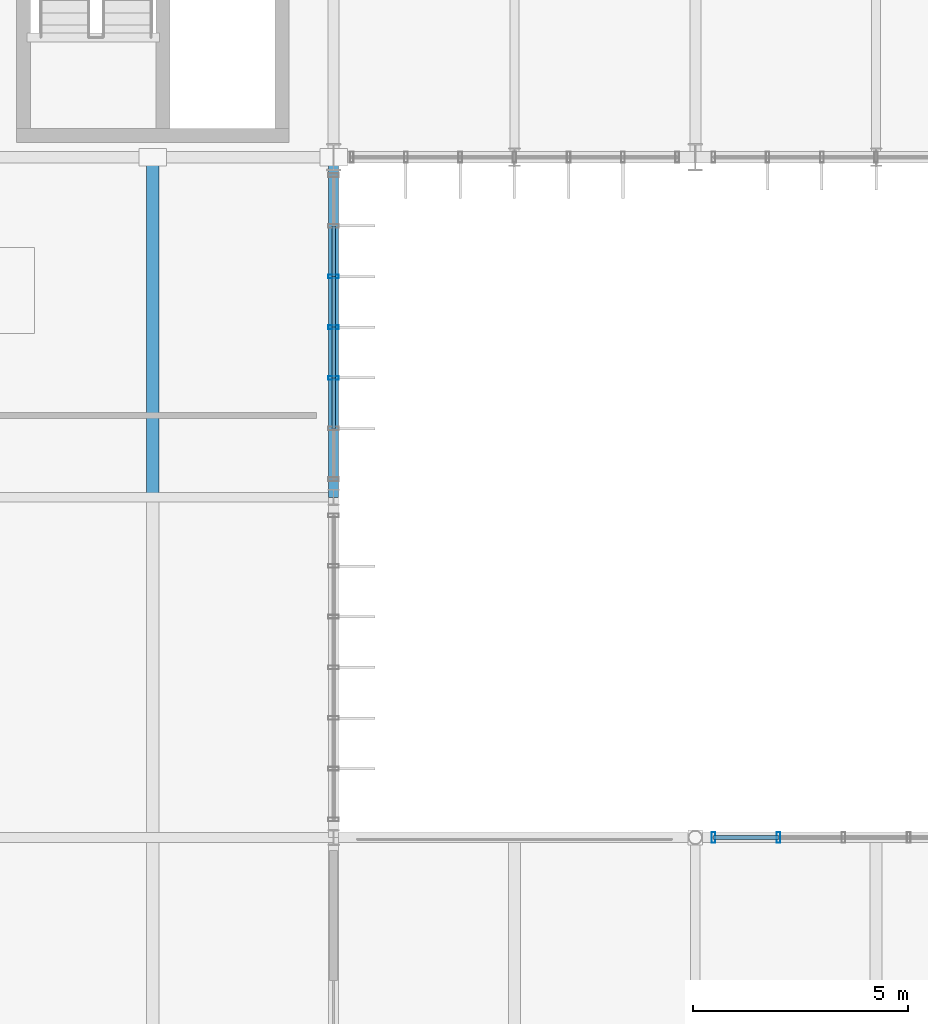
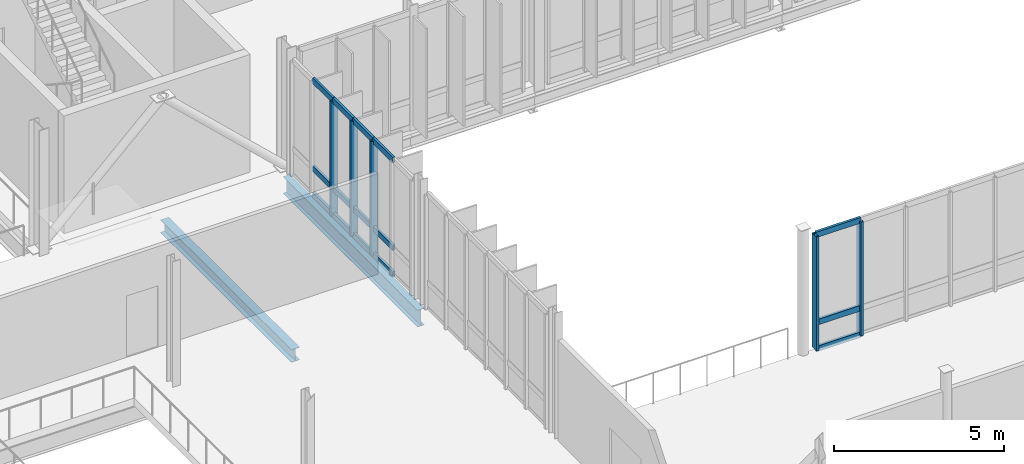
# One storey, part 36 of 139: 20 members, 2 beams, 2 elements without a shape of their own.
"""IFC4 building model written with IfcOpenShell, lengths in metres."""

from ifc_helpers import new_model, si_unit, derived_unit, direction, frame, origin, origin_2d, place, context, subcontext, project, spatial, hollow_rectangle, i_section, extrude, material, layer, layer_set, material_profile, profile_set, type_object, element, aggregate, save


model = new_model("IFC4")

# Units and contexts
model_context = context("Model", 3, precision=1e-05, world=origin(), true_north=direction((0.0, 1.0)))
body_context = subcontext(model_context, "Body", "Model", "MODEL_VIEW")
ifc_project = project(units=[si_unit("LENGTHUNIT", "METRE"), si_unit("AREAUNIT", "SQUARE_METRE"), si_unit("VOLUMEUNIT", "CUBIC_METRE"), si_unit("PLANEANGLEUNIT", "RADIAN"), si_unit("MASSUNIT", "GRAM", prefix="KILO"), derived_unit("THERMALTRANSMITTANCEUNIT", [(si_unit("MASSUNIT", "GRAM", prefix="KILO"), 1), (si_unit("TIMEUNIT", "SECOND"), -3), (si_unit("THERMODYNAMICTEMPERATUREUNIT", "KELVIN"), -1)])], contexts=[model_context])

# Site, building, storey
site_placement = place(None, origin())
site = spatial("IfcSite", under=ifc_project, at=site_placement, CompositionType="ELEMENT")
building_placement = place(site_placement, origin())
building = spatial("IfcBuilding", under=site, at=building_placement, Name="Makaiwela Harbour Ferry Terminal", CompositionType="ELEMENT")
storey_placement = place(building_placement, frame((0.0, 0.0, 5.10009765625)))
storey = spatial("IfcBuildingStorey", under=building, at=storey_placement, Name="L01", CompositionType="ELEMENT", Elevation=5.10009765625)

# Curtain wall, members
ifc_material_1 = material(Name="Marine anodised aluminium 6063-T6", Category="aluminium")
ifc_layer_1 = layer(ifc_material_1, 0.199951171875)
ifc_layer_set_1 = layer_set([ifc_layer_1], Name="Marine anodised aluminium 6063-T6")
curtain_wall_type_1 = type_object("IfcCurtainWallType", Name="ENV-CW-13", PredefinedType="USERDEFINED", material=ifc_layer_set_1)
curtain_wall_1_placement = place(storey_placement, origin())
curtain_wall_1 = element("IfcCurtainWall", 1, at=curtain_wall_1_placement, inside=storey, type_object=curtain_wall_type_1, Name="Unitised Curtain Wall CWA-112", ObjectType="UNITIZED CURTAIN WALL", PredefinedType="USERDEFINED")
ifc_material_profile_1 = material_profile(ifc_material_1, hollow_rectangle(XDim=0.0849609375, YDim=0.25, WallThickness=0.0048828125, at=origin_2d()), Name="CWM-250X85")
ifc_profile_set_1 = profile_set([ifc_material_profile_1], Name="Marine anodised aluminium 6063-T6")
member_type_1 = type_object("IfcMemberType", Name="CW-MUL-250", PredefinedType="MULLION", material=ifc_profile_set_1)
member_1_placement = place(storey_placement, frame((71.39990234375, 46.626708984375, 0.0), z_axis=(0.0, 0.0, 1.0), x_axis=(0.0, 1.0, 0.0)))
member_1 = element("IfcMember", 2, at=member_1_placement, type_object=member_type_1, Name="Curtain Wall Mullion CWA-112-3", PredefinedType="MULLION", context=body_context, shape_type="SweptSolid", body=[
    extrude(hollow_rectangle(XDim=0.0849609375, YDim=0.25, WallThickness=0.0048828125, at=origin_2d()), origin(), (0.0, 0.0, 1.0), 4.099853515625),
])
member_2_placement = place(storey_placement, frame((71.39990234375, 45.449951171875, 0.0), z_axis=(0.0, 0.0, 1.0), x_axis=(0.0, 1.0, 0.0)))
member_2 = element("IfcMember", 3, at=member_2_placement, type_object=member_type_1, Name="Curtain Wall Mullion CWA-112-4", PredefinedType="MULLION", context=body_context, shape_type="SweptSolid", body=[
    extrude(hollow_rectangle(XDim=0.0849609375, YDim=0.25, WallThickness=0.0048828125, at=origin_2d()), origin(), (0.0, 0.0, 1.0), 4.099853515625),
])
member_3_placement = place(storey_placement, frame((71.39990234375, 44.273193359375, 0.0), z_axis=(0.0, 0.0, 1.0), x_axis=(0.0, 1.0, 0.0)))
member_3 = element("IfcMember", 4, at=member_3_placement, type_object=member_type_1, Name="Curtain Wall Mullion CWA-112-5", PredefinedType="MULLION", context=body_context, shape_type="SweptSolid", body=[
    extrude(hollow_rectangle(XDim=0.0849609375, YDim=0.25, WallThickness=0.0048828125, at=origin_2d()), origin(), (0.0, 0.0, 1.0), 4.099853515625),
])

ifc_layer_2 = layer(ifc_material_1, 0.199951171875)
ifc_layer_set_2 = layer_set([ifc_layer_2], Name="Marine anodised aluminium 6063-T6")
curtain_wall_type_2 = type_object("IfcCurtainWallType", Name="ENV-CW-08", PredefinedType="USERDEFINED", material=ifc_layer_set_2)
curtain_wall_2_placement = place(storey_placement, origin())
curtain_wall_2 = element("IfcCurtainWall", 5, at=curtain_wall_2_placement, inside=storey, type_object=curtain_wall_type_2, Name="Unitised Curtain Wall CWA-141", ObjectType="UNITIZED CURTAIN WALL", PredefinedType="USERDEFINED")
member_4_placement = place(storey_placement, frame((81.73193359375, 33.60009765625, 0.0), z_axis=(0.0, 0.0, 1.0), x_axis=(1.0, 0.0, 0.0)))
member_4 = element("IfcMember", 6, at=member_4_placement, type_object=member_type_1, Name="Curtain Wall Mullion CWA-141-5", PredefinedType="MULLION", context=body_context, shape_type="SweptSolid", body=[
    extrude(hollow_rectangle(XDim=0.0849609375, YDim=0.25, WallThickness=0.0048828125, at=origin_2d()), origin(), (0.0, 0.0, 1.0), 4.099853515625),
])
member_5_placement = place(storey_placement, frame((80.219970703125, 33.60009765625, 0.0), z_axis=(0.0, 0.0, 1.0), x_axis=(1.0, 0.0, 0.0)))
member_5 = element("IfcMember", 7, at=member_5_placement, type_object=member_type_1, Name="Curtain Wall Mullion CWA-141-6", PredefinedType="MULLION", context=body_context, shape_type="SweptSolid", body=[
    extrude(hollow_rectangle(XDim=0.0849609375, YDim=0.25, WallThickness=0.0048828125, at=origin_2d()), origin(), (0.0, 0.0, 1.0), 4.099853515625),
])

# Member
ifc_material_profile_2 = material_profile(ifc_material_1, hollow_rectangle(XDim=0.0849609375, YDim=0.199951171875, WallThickness=0.0048828125, at=origin_2d()), Name="CWT-200X85")
ifc_profile_set_2 = profile_set([ifc_material_profile_2], Name="Marine anodised aluminium 6063-T6")
member_type_2 = type_object("IfcMemberType", Name="CW-TRN-200", PredefinedType="USERDEFINED", material=ifc_profile_set_2)
member_6_placement = place(storey_placement, frame((71.39990234375, 47.80322265625, 0.0), z_axis=(0.0, -1.0, 0.0), x_axis=(1.0, 0.0, 0.0)))
member_6 = element("IfcMember", 8, at=member_6_placement, type_object=member_type_2, Name="Curtain Wall Transom CWA-112-2-1", ObjectType="TRANSOM", PredefinedType="USERDEFINED", context=body_context, shape_type="SweptSolid", body=[
    extrude(hollow_rectangle(XDim=0.0849609375, YDim=0.199951171875, WallThickness=0.0048828125, at=origin_2d()), origin(), (0.0, 0.0, 1.0), 1.176513671875),
])

member_7_placement = place(storey_placement, frame((71.39990234375, 47.80322265625, 0.949951171875), z_axis=(0.0, -1.0, 0.0), x_axis=(1.0, 0.0, 0.0)))
member_7 = element("IfcMember", 9, at=member_7_placement, type_object=member_type_2, Name="Curtain Wall Transom CWA-112-2-2", ObjectType="TRANSOM", PredefinedType="USERDEFINED", context=body_context, shape_type="SweptSolid", body=[
    extrude(hollow_rectangle(XDim=0.0849609375, YDim=0.199951171875, WallThickness=0.0048828125, at=origin_2d()), origin(), (0.0, 0.0, 1.0), 1.176513671875),
])

member_8_placement = place(storey_placement, frame((71.39990234375, 47.80322265625, 4.099853515625), z_axis=(0.0, -1.0, 0.0), x_axis=(1.0, 0.0, 0.0)))
member_8 = element("IfcMember", 10, at=member_8_placement, type_object=member_type_2, Name="Curtain Wall Transom CWA-112-2-3", ObjectType="TRANSOM", PredefinedType="USERDEFINED", context=body_context, shape_type="SweptSolid", body=[
    extrude(hollow_rectangle(XDim=0.0849609375, YDim=0.199951171875, WallThickness=0.0048828125, at=origin_2d()), origin(), (0.0, 0.0, 1.0), 1.176513671875),
])

member_9_placement = place(storey_placement, frame((71.39990234375, 46.626708984375, 0.0), z_axis=(0.0, -1.0, 0.0), x_axis=(1.0, 0.0, 0.0)))
member_9 = element("IfcMember", 11, at=member_9_placement, type_object=member_type_2, Name="Curtain Wall Transom CWA-112-3-1", ObjectType="TRANSOM", PredefinedType="USERDEFINED", context=body_context, shape_type="SweptSolid", body=[
    extrude(hollow_rectangle(XDim=0.0849609375, YDim=0.199951171875, WallThickness=0.0048828125, at=origin_2d()), origin(), (0.0, 0.0, 1.0), 1.1767578125),
])

member_10_placement = place(storey_placement, frame((71.39990234375, 46.626708984375, 0.949951171875), z_axis=(0.0, -1.0, 0.0), x_axis=(1.0, 0.0, 0.0)))
member_10 = element("IfcMember", 12, at=member_10_placement, type_object=member_type_2, Name="Curtain Wall Transom CWA-112-3-2", ObjectType="TRANSOM", PredefinedType="USERDEFINED", context=body_context, shape_type="SweptSolid", body=[
    extrude(hollow_rectangle(XDim=0.0849609375, YDim=0.199951171875, WallThickness=0.0048828125, at=origin_2d()), origin(), (0.0, 0.0, 1.0), 1.1767578125),
])

member_11_placement = place(storey_placement, frame((71.39990234375, 46.626708984375, 4.099853515625), z_axis=(0.0, -1.0, 0.0), x_axis=(1.0, 0.0, 0.0)))
member_11 = element("IfcMember", 13, at=member_11_placement, type_object=member_type_2, Name="Curtain Wall Transom CWA-112-3-3", ObjectType="TRANSOM", PredefinedType="USERDEFINED", context=body_context, shape_type="SweptSolid", body=[
    extrude(hollow_rectangle(XDim=0.0849609375, YDim=0.199951171875, WallThickness=0.0048828125, at=origin_2d()), origin(), (0.0, 0.0, 1.0), 1.1767578125),
])

member_12_placement = place(storey_placement, frame((71.39990234375, 45.449951171875, 0.0), z_axis=(0.0, -1.0, 0.0), x_axis=(1.0, 0.0, 0.0)))
member_12 = element("IfcMember", 14, at=member_12_placement, type_object=member_type_2, Name="Curtain Wall Transom CWA-112-4-1", ObjectType="TRANSOM", PredefinedType="USERDEFINED", context=body_context, shape_type="SweptSolid", body=[
    extrude(hollow_rectangle(XDim=0.0849609375, YDim=0.199951171875, WallThickness=0.0048828125, at=origin_2d()), origin(), (0.0, 0.0, 1.0), 1.1767578125),
])

member_13_placement = place(storey_placement, frame((71.39990234375, 45.449951171875, 0.949951171875), z_axis=(0.0, -1.0, 0.0), x_axis=(1.0, 0.0, 0.0)))
member_13 = element("IfcMember", 15, at=member_13_placement, type_object=member_type_2, Name="Curtain Wall Transom CWA-112-4-2", ObjectType="TRANSOM", PredefinedType="USERDEFINED", context=body_context, shape_type="SweptSolid", body=[
    extrude(hollow_rectangle(XDim=0.0849609375, YDim=0.199951171875, WallThickness=0.0048828125, at=origin_2d()), origin(), (0.0, 0.0, 1.0), 1.1767578125),
])

member_14_placement = place(storey_placement, frame((71.39990234375, 45.449951171875, 4.099853515625), z_axis=(0.0, -1.0, 0.0), x_axis=(1.0, 0.0, 0.0)))
member_14 = element("IfcMember", 16, at=member_14_placement, type_object=member_type_2, Name="Curtain Wall Transom CWA-112-4-3", ObjectType="TRANSOM", PredefinedType="USERDEFINED", context=body_context, shape_type="SweptSolid", body=[
    extrude(hollow_rectangle(XDim=0.0849609375, YDim=0.199951171875, WallThickness=0.0048828125, at=origin_2d()), origin(), (0.0, 0.0, 1.0), 1.1767578125),
])

member_15_placement = place(storey_placement, frame((71.39990234375, 44.273193359375, 0.0), z_axis=(0.0, -1.0, 0.0), x_axis=(1.0, 0.0, 0.0)))
member_15 = element("IfcMember", 17, at=member_15_placement, type_object=member_type_2, Name="Curtain Wall Transom CWA-112-5-1", ObjectType="TRANSOM", PredefinedType="USERDEFINED", context=body_context, shape_type="SweptSolid", body=[
    extrude(hollow_rectangle(XDim=0.0849609375, YDim=0.199951171875, WallThickness=0.0048828125, at=origin_2d()), origin(), (0.0, 0.0, 1.0), 1.176513671875),
])

member_16_placement = place(storey_placement, frame((71.39990234375, 44.273193359375, 0.949951171875), z_axis=(0.0, -1.0, 0.0), x_axis=(1.0, 0.0, 0.0)))
member_16 = element("IfcMember", 18, at=member_16_placement, type_object=member_type_2, Name="Curtain Wall Transom CWA-112-5-2", ObjectType="TRANSOM", PredefinedType="USERDEFINED", context=body_context, shape_type="SweptSolid", body=[
    extrude(hollow_rectangle(XDim=0.0849609375, YDim=0.199951171875, WallThickness=0.0048828125, at=origin_2d()), origin(), (0.0, 0.0, 1.0), 1.176513671875),
])

member_17_placement = place(storey_placement, frame((71.39990234375, 44.273193359375, 4.099853515625), z_axis=(0.0, -1.0, 0.0), x_axis=(1.0, 0.0, 0.0)))
member_17 = element("IfcMember", 19, at=member_17_placement, type_object=member_type_2, Name="Curtain Wall Transom CWA-112-5-3", ObjectType="TRANSOM", PredefinedType="USERDEFINED", context=body_context, shape_type="SweptSolid", body=[
    extrude(hollow_rectangle(XDim=0.0849609375, YDim=0.199951171875, WallThickness=0.0048828125, at=origin_2d()), origin(), (0.0, 0.0, 1.0), 1.176513671875),
])

aggregate(curtain_wall_1, [member_1, member_2, member_3, member_6, member_7, member_8, member_9, member_10, member_11, member_12, member_13, member_14, member_15, member_16, member_17])

member_18_placement = place(storey_placement, frame((81.73193359375, 33.60009765625, 0.0), z_axis=(-1.0, 0.0, 0.0), x_axis=(0.0, -1.0, 0.0)))
member_18 = element("IfcMember", 20, at=member_18_placement, type_object=member_type_2, Name="Curtain Wall Transom CWA-141-5-1", ObjectType="TRANSOM", PredefinedType="USERDEFINED", context=body_context, shape_type="SweptSolid", body=[
    extrude(hollow_rectangle(XDim=0.0849609375, YDim=0.199951171875, WallThickness=0.0048828125, at=origin_2d()), origin(), (0.0, 0.0, 1.0), 1.511962890625),
])

member_19_placement = place(storey_placement, frame((81.73193359375, 33.60009765625, 0.949951171875), z_axis=(-1.0, 0.0, 0.0), x_axis=(0.0, -1.0, 0.0)))
member_19 = element("IfcMember", 21, at=member_19_placement, type_object=member_type_2, Name="Curtain Wall Transom CWA-141-5-2", ObjectType="TRANSOM", PredefinedType="USERDEFINED", context=body_context, shape_type="SweptSolid", body=[
    extrude(hollow_rectangle(XDim=0.0849609375, YDim=0.199951171875, WallThickness=0.0048828125, at=origin_2d()), origin(), (0.0, 0.0, 1.0), 1.511962890625),
])

member_20_placement = place(storey_placement, frame((81.73193359375, 33.60009765625, 4.099853515625), z_axis=(-1.0, 0.0, 0.0), x_axis=(0.0, -1.0, 0.0)))
member_20 = element("IfcMember", 22, at=member_20_placement, type_object=member_type_2, Name="Curtain Wall Transom CWA-141-5-3", ObjectType="TRANSOM", PredefinedType="USERDEFINED", context=body_context, shape_type="SweptSolid", body=[
    extrude(hollow_rectangle(XDim=0.0849609375, YDim=0.199951171875, WallThickness=0.0048828125, at=origin_2d()), origin(), (0.0, 0.0, 1.0), 1.511962890625),
])

aggregate(curtain_wall_2, [member_4, member_5, member_18, member_19, member_20])

# Beams
ifc_material_2 = material(Name="Steel ASTM A992 Grade 50", Category="steel")
ifc_material_profile_3 = material_profile(ifc_material_2, i_section(OverallWidth=0.280029296875, OverallDepth=0.462890625, WebThickness=0.0107421875, FlangeThickness=0.017333984375, at=origin_2d()), Name="W18X76")
ifc_profile_set_3 = profile_set([ifc_material_profile_3], Name="Steel ASTM A992 Grade 50")
beam_type_1 = type_object("IfcBeamType", Name="STR-BM-W18X76", PredefinedType="BEAM", material=ifc_profile_set_3)
beam_1_placement = place(storey_placement, frame((67.199951171875, 41.596435546875, -0.51171875), z_axis=(0.0, 1.0, 0.0), x_axis=(-1.0, 0.0, 0.0)))
element("IfcBeam", 23, at=beam_1_placement, inside=storey, type_object=beam_type_1, Name="Secondary floor beam 1080", PredefinedType="BEAM", context=body_context, shape_type="SweptSolid", body=[
    extrude(i_section(OverallWidth=0.280029296875, OverallDepth=0.462890625, WebThickness=0.0107421875, FlangeThickness=0.017333984375, at=origin_2d()), origin(), (0.0, 0.0, 1.0), 7.68896484375),
])
ifc_material_profile_4 = material_profile(ifc_material_2, i_section(OverallWidth=0.22900390625, OverallDepth=0.612060546875, WebThickness=0.011962890625, FlangeThickness=0.01953125, at=origin_2d()), Name="W24X84")
ifc_profile_set_4 = profile_set([ifc_material_profile_4], Name="Steel ASTM A992 Grade 50")
beam_type_2 = type_object("IfcBeamType", Name="STR-GRD-W24X84", PredefinedType="USERDEFINED", material=ifc_profile_set_4)
beam_2_placement = place(storey_placement, frame((71.39990234375, 41.5, -0.586181640625), z_axis=(0.0, 1.0, 0.0), x_axis=(-1.0, 0.0, 0.0)))
element("IfcBeam", 24, at=beam_2_placement, inside=storey, type_object=beam_type_2, Name="Primary Y girder 939", ObjectType="GIRDER", PredefinedType="USERDEFINED", context=body_context, shape_type="SweptSolid", body=[
    extrude(i_section(OverallWidth=0.22900390625, OverallDepth=0.612060546875, WebThickness=0.011962890625, FlangeThickness=0.01953125, at=origin_2d()), origin(), (0.0, 0.0, 1.0), 7.89990234375),
])

save(model, "model.ifc")
